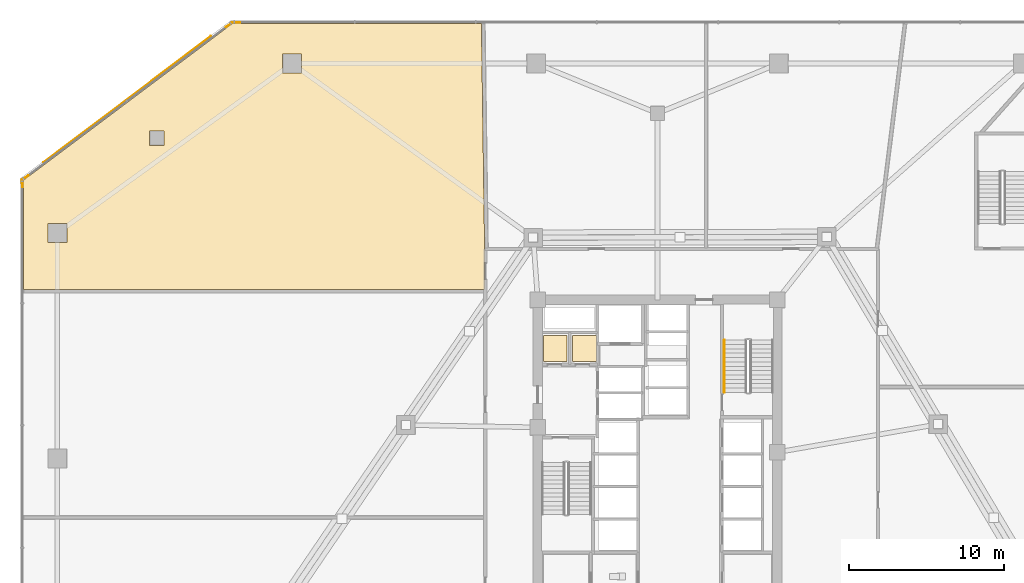
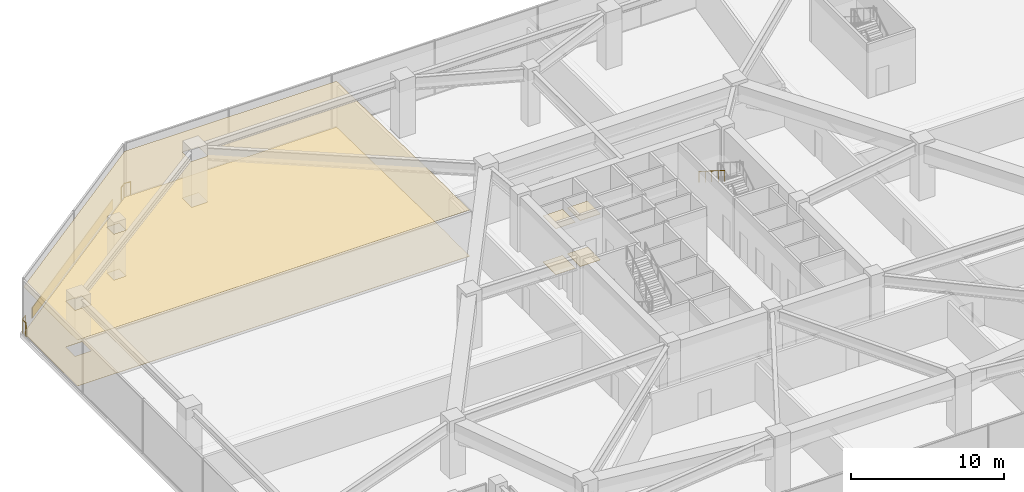
# One storey, part 20 of 23: 7 coverings, 3 railings.
"""IFC4 building model written with IfcOpenShell, lengths in metres."""

from ifc_helpers import new_model, si_unit, direction, frame, origin, origin_2d, place, context, subcontext, project, spatial, polyline, rectangle, circle, outline, extrude, material, layer, layer_set, type_object, element, save


model = new_model("IFC4")

# Units and contexts
model_context = context("Model", 3, precision=1e-05, world=origin(), true_north=direction((0.0, 1.0)))
body_context = subcontext(model_context, "Body", "Model", "MODEL_VIEW")
ifc_project = project(units=[si_unit("LENGTHUNIT", "METRE"), si_unit("AREAUNIT", "SQUARE_METRE"), si_unit("VOLUMEUNIT", "CUBIC_METRE"), si_unit("PLANEANGLEUNIT", "RADIAN"), si_unit("MASSUNIT", "GRAM", prefix="KILO")], contexts=[model_context])

# Site, building, storey
site_placement = place(None, origin())
site = spatial("IfcSite", under=ifc_project, at=site_placement, CompositionType="ELEMENT")
building_placement = place(site_placement, origin())
building = spatial("IfcBuilding", under=site, at=building_placement, Name="Savorim Split Tower", CompositionType="ELEMENT")
storey_placement = place(building_placement, frame((0.0, 0.0, 21.800048828125)))
storey = spatial("IfcBuildingStorey", under=building, at=storey_placement, Name="L05", CompositionType="ELEMENT", Elevation=21.800048828125)

# Coverings
ifc_material_1 = material(Name="Mineral Fibre Acoustic Ceiling")
ifc_layer_1 = layer(ifc_material_1, 0.02490234375)
ifc_layer_set_1 = layer_set([ifc_layer_1], Name="COV-CEIL-25")
covering_type_1 = type_object("IfcCoveringType", Name="COV-CEIL-25", PredefinedType="CEILING", material=ifc_layer_set_1)
covering_1_placement = place(storey_placement, frame((0.0, 0.0, 3.669921875)))
element("IfcCovering", 1, at=covering_1_placement, inside=storey, type_object=covering_type_1, Name="L05 Electrical Riser Acoustic Ceiling", PredefinedType="CEILING", context=body_context, shape_type="SweptSolid", body=[
    extrude(outline(polyline([(-7.320068359375, 7.919921875), (-7.320068359375, 6.22998046875), (-5.830078125, 6.22998046875), (-5.830078125, 7.919921875), (-7.320068359375, 7.919921875)])), origin(), (0.0, 0.0, 1.0), 0.025146484375),
])
covering_2_placement = place(storey_placement, frame((0.0, 0.0, 3.669921875)))
element("IfcCovering", 2, at=covering_2_placement, inside=storey, type_object=covering_type_1, Name="L05 Telecom Riser Acoustic Ceiling", PredefinedType="CEILING", context=body_context, shape_type="SweptSolid", body=[
    extrude(outline(polyline([(-5.469970703125, 7.919921875), (-5.469970703125, 6.22998046875), (-3.929931640625, 6.22998046875), (-3.929931640625, 7.919921875), (-5.469970703125, 7.919921875)])), origin(), (0.0, 0.0, 1.0), 0.025146484375),
])
covering_3_placement = place(storey_placement, frame((0.0, 0.0, 3.669921875)))
element("IfcCovering", 3, at=covering_3_placement, inside=storey, type_object=covering_type_1, Name="L05 BMS Mechanical Plant Room Acoustic Ceiling", PredefinedType="CEILING", context=body_context, shape_type="SweptSolid", body=[
    extrude(outline(polyline([(-11.32421875, 27.97998046875), (-27.32666015625, 27.97998046875), (-40.780029296875, 17.889892578125), (-40.780029296875, 10.872802734375), (-11.139892578125, 10.872802734375), (-11.139892578125, 13.39990234375), (-11.139404296875, 13.413818359375), (-11.13720703125, 13.42724609375), (-11.134033203125, 13.440673828125), (-11.12939453125, 13.45361328125), (-11.12353515625, 13.466064453125), (-11.119140625, 13.473388671875), (-11.323486328125, 27.92822265625), (-11.32421875, 27.97998046875)]), holes=[polyline([(-22.889892578125, 26.010009765625), (-24.110107421875, 26.010009765625), (-24.110107421875, 24.7900390625), (-22.889892578125, 24.7900390625), (-22.889892578125, 26.010009765625)]), polyline([(-37.989990234375, 15.110107421875), (-39.2099609375, 15.110107421875), (-39.2099609375, 13.889892578125), (-37.989990234375, 13.889892578125), (-37.989990234375, 15.110107421875)]), polyline([(-31.739990234375, 20.139892578125), (-31.739990234375, 21.06005859375), (-32.659912109375, 21.06005859375), (-32.659912109375, 20.139892578125), (-31.739990234375, 20.139892578125)])]), origin(), (0.0, 0.0, 1.0), 0.025146484375),
])
ifc_material_2 = material(Name="Terracotta Ceramic-Coated Aluminium Fin", Category="masonry")
ifc_layer_2 = layer(ifc_material_2, 0.050048828125)
ifc_layer_set_2 = layer_set([ifc_layer_2], Name="COV-CLAD-TERRA")
covering_type_2 = type_object("IfcCoveringType", Name="COV-CLAD-TERRA", PredefinedType="CLADDING", material=ifc_layer_set_2)
covering_4_placement = place(storey_placement, frame((-34.10009765625, 23.10009765625, 0.02490234375), z_axis=(0.0, 0.0, 1.0), x_axis=(0.798635510047, 0.601815023152, 0.0)))
element("IfcCovering", 4, at=covering_4_placement, inside=storey, type_object=covering_type_2, Name="L05 NW Podium Spandrel Cladding", PredefinedType="CLADDING", context=body_context, shape_type="SweptSolid", body=[
    extrude(rectangle(XDim=13.5, YDim=0.050048828125, at=origin_2d()), origin(), (0.0, 0.0, 1.0), 0.85009765625),
])
ifc_material_3 = material(Name="Porcelain Stoneware Flooring", Category="masonry")
ifc_layer_3 = layer(ifc_material_3, 0.02001953125)
ifc_layer_set_3 = layer_set([ifc_layer_3], Name="COV-FLOR-20")
covering_type_3 = type_object("IfcCoveringType", Name="COV-FLOR-20", PredefinedType="FLOORING", material=ifc_layer_set_3)
covering_5_placement = place(storey_placement, origin())
element("IfcCovering", 5, at=covering_5_placement, inside=storey, type_object=covering_type_3, Name="L05 Electrical Riser Porcelain Flooring", PredefinedType="FLOORING", context=body_context, shape_type="SweptSolid", body=[
    extrude(outline(polyline([(-7.320068359375, 7.919921875), (-7.320068359375, 6.22998046875), (-5.830078125, 6.22998046875), (-5.830078125, 7.919921875), (-7.320068359375, 7.919921875)])), origin(), (0.0, 0.0, 1.0), 0.02001953125),
])
covering_6_placement = place(storey_placement, origin())
element("IfcCovering", 6, at=covering_6_placement, inside=storey, type_object=covering_type_3, Name="L05 Telecom Riser Porcelain Flooring", PredefinedType="FLOORING", context=body_context, shape_type="SweptSolid", body=[
    extrude(outline(polyline([(-5.469970703125, 7.919921875), (-5.469970703125, 6.22998046875), (-3.929931640625, 6.22998046875), (-3.929931640625, 7.919921875), (-5.469970703125, 7.919921875)])), origin(), (0.0, 0.0, 1.0), 0.02001953125),
])
covering_7_placement = place(storey_placement, origin())
element("IfcCovering", 7, at=covering_7_placement, inside=storey, type_object=covering_type_3, Name="L05 BMS Mechanical Plant Room Porcelain Flooring", PredefinedType="FLOORING", context=body_context, shape_type="SweptSolid", body=[
    extrude(outline(polyline([(-11.32421875, 27.97998046875), (-27.32666015625, 27.97998046875), (-40.780029296875, 17.889892578125), (-40.780029296875, 10.872802734375), (-11.139892578125, 10.872802734375), (-11.139892578125, 13.39990234375), (-11.139404296875, 13.413818359375), (-11.13720703125, 13.42724609375), (-11.134033203125, 13.440673828125), (-11.12939453125, 13.45361328125), (-11.12353515625, 13.466064453125), (-11.119140625, 13.473388671875), (-11.323486328125, 27.92822265625), (-11.32421875, 27.97998046875)]), holes=[polyline([(-22.889892578125, 26.010009765625), (-24.110107421875, 26.010009765625), (-24.110107421875, 24.7900390625), (-22.889892578125, 24.7900390625), (-22.889892578125, 26.010009765625)]), polyline([(-37.989990234375, 15.110107421875), (-39.2099609375, 15.110107421875), (-39.2099609375, 13.889892578125), (-37.989990234375, 13.889892578125), (-37.989990234375, 15.110107421875)]), polyline([(-31.739990234375, 20.139892578125), (-31.739990234375, 21.06005859375), (-32.659912109375, 21.06005859375), (-32.659912109375, 20.139892578125), (-31.739990234375, 20.139892578125)])]), origin(), (0.0, 0.0, 1.0), 0.02001953125),
])

# Railings
ifc_material_4 = material(Name="Galvanised Painted Steel Balustrade", Category="steel")
railing_type_1 = type_object("IfcRailingType", Name="RLG-BAL-1100", PredefinedType="BALUSTRADE", material=ifc_material_4)
railing_1_placement = place(storey_placement, frame((-26.85009765625, 28.0400390625, 0.0)))
element("IfcRailing", 8, at=railing_1_placement, inside=storey, type_object=railing_type_1, Name="L05 Podium Perimeter Corner Guard 8", PredefinedType="BALUSTRADE", context=body_context, shape_type="SweptSolid", body=[
    extrude(circle(Radius=0.02392578125, at=origin_2d()), frame((0.0, 0.0, 1.076171875), z_axis=(-0.999969213844, 0.007846742237, 0.0), x_axis=(-0.007846742237, -0.999969213844, 0.0)), (0.0, 0.0, 1.0), 0.497802734375),
    extrude(circle(Radius=0.02392578125, at=origin_2d()), frame((-0.497802734375, 0.00390625, 1.076171875), z_axis=(-0.795150298143, -0.606412403701, 0.0), x_axis=(0.606412403701, -0.795150298143, 0.0)), (0.0, 0.0, 1.0), 0.498046875),
    extrude(circle(Radius=0.02099609375, at=origin_2d()), origin(), (0.0, 0.0, 1.0), 1.052001953125),
    extrude(circle(Radius=0.02099609375, at=origin_2d()), frame((-0.497802734375, 0.00390625, 0.0)), (0.0, 0.0, 1.0), 1.052001953125),
    extrude(circle(Radius=0.02099609375, at=origin_2d()), frame((-0.893798828125, -0.298095703125, 0.0)), (0.0, 0.0, 1.0), 1.052001953125),
])
railing_2_placement = place(storey_placement, frame((-40.464111328125, 18.201904296875, 0.0)))
element("IfcRailing", 9, at=railing_2_placement, inside=storey, type_object=railing_type_1, Name="L05 Podium Perimeter Corner Guard 9", PredefinedType="BALUSTRADE", context=body_context, shape_type="SweptSolid", body=[
    extrude(circle(Radius=0.02392578125, at=origin_2d()), frame((0.0, 0.0, 1.076171875), z_axis=(-0.819591612533, -0.572948155303, 0.0), x_axis=(0.572948155303, -0.819591612533, 0.0)), (0.0, 0.0, 1.0), 0.47802734375),
    extrude(circle(Radius=0.02392578125, at=origin_2d()), frame((-0.391845703125, -0.27392578125, 1.076171875), z_axis=(0.033178862589, -0.999449429975, 0.0), x_axis=(0.999449429975, 0.033178862589, 0.0)), (0.0, 0.0, 1.0), 0.478271484375),
    extrude(circle(Radius=0.02099609375, at=origin_2d()), origin(), (0.0, 0.0, 1.0), 1.052001953125),
    extrude(circle(Radius=0.02099609375, at=origin_2d()), frame((-0.391845703125, -0.27392578125, 0.0)), (0.0, 0.0, 1.0), 1.052001953125),
    extrude(circle(Radius=0.02099609375, at=origin_2d()), frame((-0.3759765625, -0.751953125, 0.0)), (0.0, 0.0, 1.0), 1.052001953125),
])
railing_type_2 = type_object("IfcRailingType", Name="RLG-HR-900", PredefinedType="HANDRAIL", material=ifc_material_4)
railing_3_placement = place(storey_placement, frame((4.300048828125, 7.610107421875, 2.476806640625)))
element("IfcRailing", 10, at=railing_3_placement, inside=storey, type_object=railing_type_2, Name="L05 ST-2 stair handrail 2", PredefinedType="HANDRAIL", context=body_context, shape_type="SweptSolid", body=[
    extrude(circle(Radius=0.02392578125, at=origin_2d()), frame((0.0, 0.0, 0.8759765625), z_axis=(0.0, -0.845389635667, 0.534150132366), x_axis=(1.0, 0.0, 0.0)), (0.0, 0.0, 1.0), 3.974609375),
    extrude(circle(Radius=0.02099609375, at=origin_2d()), origin(), (0.0, 0.0, 1.0), 0.851806640625),
    extrude(circle(Radius=0.02099609375, at=origin_2d()), frame((0.0, -0.840087890625, 0.53076171875)), (0.0, 0.0, 1.0), 0.851806640625),
    extrude(circle(Radius=0.02099609375, at=origin_2d()), frame((0.0, -1.68017578125, 1.0615234375)), (0.0, 0.0, 1.0), 0.851806640625),
    extrude(circle(Radius=0.02099609375, at=origin_2d()), frame((0.0, -2.52001953125, 1.59228515625)), (0.0, 0.0, 1.0), 0.851806640625),
    extrude(circle(Radius=0.02099609375, at=origin_2d()), frame((0.0, -3.360107421875, 2.123046875)), (0.0, 0.0, 1.0), 0.851806640625),
])

save(model, "model.ifc")
